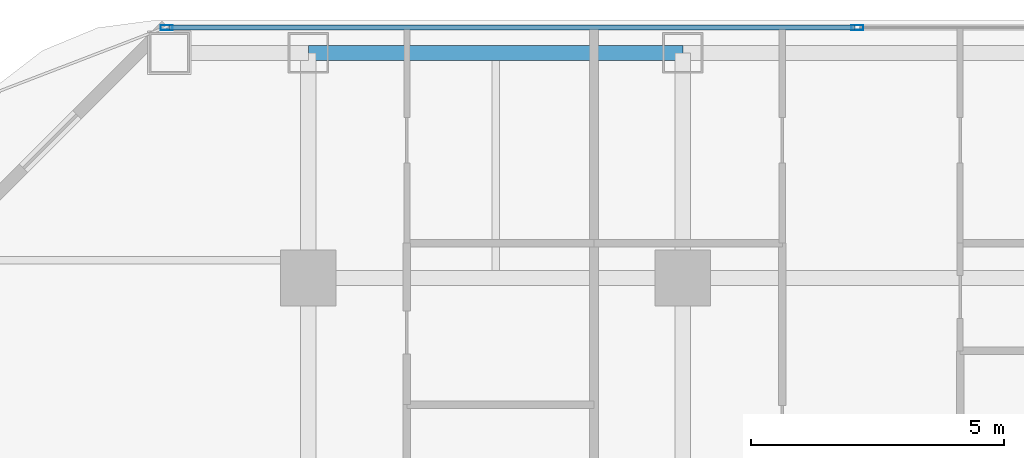
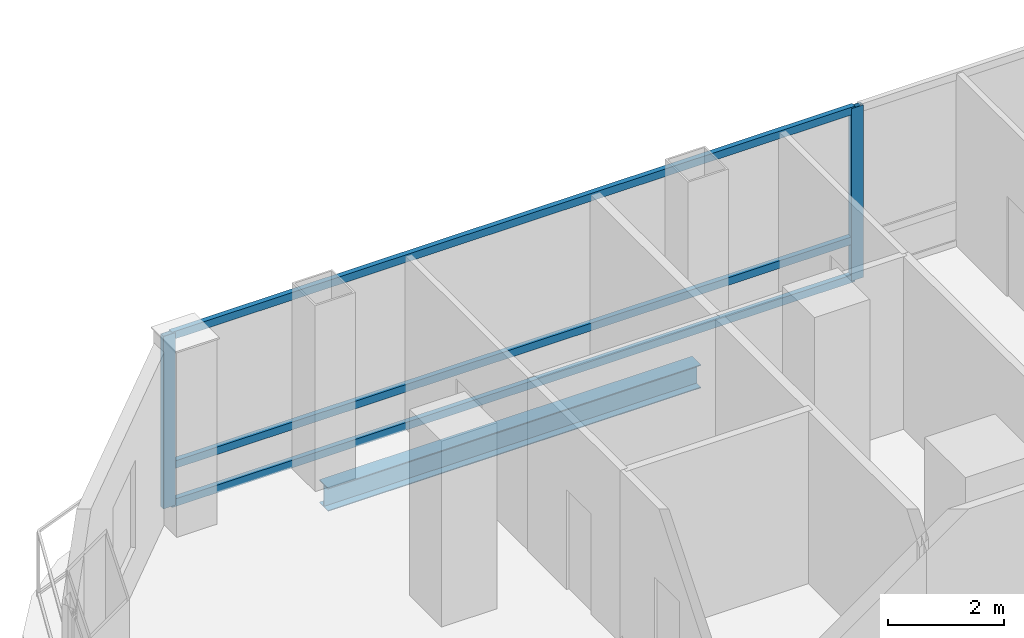
# One storey, part 16 of 27: 5 members, 1 beam, 1 element without a shape of its own.
"""IFC4 building model written with IfcOpenShell, lengths in metres."""

from ifc_helpers import new_model, si_unit, direction, frame, origin, origin_2d, place, context, subcontext, project, spatial, hollow_rectangle, i_section, extrude, material, layer, layer_set, material_profile, profile_set, type_object, element, aggregate, save


model = new_model("IFC4")

# Units and contexts
model_context = context("Model", 3, precision=1e-05, world=origin(), true_north=direction((0.0, 1.0)))
body_context = subcontext(model_context, "Body", "Model", "MODEL_VIEW")
ifc_project = project(units=[si_unit("LENGTHUNIT", "METRE"), si_unit("AREAUNIT", "SQUARE_METRE"), si_unit("VOLUMEUNIT", "CUBIC_METRE"), si_unit("PLANEANGLEUNIT", "RADIAN"), si_unit("MASSUNIT", "GRAM", prefix="KILO")], contexts=[model_context])

# Site, building, storey
site_placement = place(None, origin())
site = spatial("IfcSite", under=ifc_project, at=site_placement, CompositionType="ELEMENT")
building_placement = place(site_placement, origin())
building = spatial("IfcBuilding", under=site, at=building_placement, Name="Khorvyn Point Tower", CompositionType="ELEMENT")
storey_placement = place(building_placement, frame((0.0, 0.0, 50.10009765625)))
storey = spatial("IfcBuildingStorey", under=building, at=storey_placement, Name="L13", CompositionType="ELEMENT", Elevation=50.10009765625)

# Curtain wall, members
ifc_material_1 = material(Name="Anodised aluminium 6063-T6 and laminated Low-E glass", Category="aluminium")
ifc_layer = layer(ifc_material_1, 0.18994140625)
ifc_layer_set = layer_set([ifc_layer], Name="Stick-Built Finned Residential Curtain Wall CW-SYS-02")
curtain_wall_type = type_object("IfcCurtainWallType", Name="Stick-Built Finned Residential Curtain Wall CW-SYS-02", PredefinedType="NOTDEFINED", material=ifc_layer_set)
curtain_wall_placement = place(storey_placement, origin())
curtain_wall = element("IfcCurtainWall", 1, at=curtain_wall_placement, inside=storey, type_object=curtain_wall_type, Name="Curtain Wall", PredefinedType="NOTDEFINED")
ifc_material_2 = material(Name="Anodised aluminium 6063-T6", Category="aluminium")
ifc_material_profile_1 = material_profile(ifc_material_2, hollow_rectangle(XDim=0.10009765625, YDim=0.239990234375, WallThickness=0.0048828125, at=origin_2d()))
ifc_profile_set_1 = profile_set([ifc_material_profile_1], Name="Anodised aluminium 6063-T6 ALU-MUL-100x240")
member_type_1 = type_object("IfcMemberType", Name="Anodised Aluminium 6063-T6 Mullion ALU-MUL-100x240", PredefinedType="MULLION", material=ifc_profile_set_1)
member_1_placement = place(storey_placement, frame((-17.60009765625, 25.050048828125, 0.0), z_axis=(0.0, 0.0, 1.0), x_axis=(0.0, 1.0, 0.0)))
member_1 = element("IfcMember", 2, at=member_1_placement, type_object=member_type_1, Name="Transom", PredefinedType="MULLION", context=body_context, shape_type="SweptSolid", body=[
    extrude(hollow_rectangle(XDim=0.10009765625, YDim=0.239990234375, WallThickness=0.0048828125, at=origin_2d()), origin(), (0.0, 0.0, 1.0), 3.619873046875),
])
member_2_placement = place(storey_placement, frame((-3.949951171875, 25.050048828125, 0.0), z_axis=(0.0, 0.0, 1.0), x_axis=(0.0, 1.0, 0.0)))
member_2 = element("IfcMember", 3, at=member_2_placement, type_object=member_type_1, Name="Transom", PredefinedType="MULLION", context=body_context, shape_type="SweptSolid", body=[
    extrude(hollow_rectangle(XDim=0.10009765625, YDim=0.239990234375, WallThickness=0.0048828125, at=origin_2d()), origin(), (0.0, 0.0, 1.0), 3.619873046875),
])
ifc_material_profile_2 = material_profile(ifc_material_2, hollow_rectangle(XDim=0.10009765625, YDim=0.159912109375, WallThickness=0.00439453125, at=origin_2d()))
ifc_profile_set_2 = profile_set([ifc_material_profile_2], Name="Anodised aluminium 6063-T6 ALU-TRN-100x160")
member_type_2 = type_object("IfcMemberType", Name="Anodised Aluminium 6063-T6 Transom ALU-TRN-100x160", PredefinedType="USERDEFINED", material=ifc_profile_set_2)
member_3_placement = place(storey_placement, frame((-17.550048828125, 25.050048828125, 0.0498046875), z_axis=(1.0, 0.0, 0.0), x_axis=(0.0, 1.0, 0.0)))
member_3 = element("IfcMember", 4, at=member_3_placement, type_object=member_type_2, Name="Transom", ObjectType="TRANSOM", PredefinedType="USERDEFINED", context=body_context, shape_type="SweptSolid", body=[
    extrude(hollow_rectangle(XDim=0.10009765625, YDim=0.159912109375, WallThickness=0.00439453125, at=origin_2d()), origin(), (0.0, 0.0, 1.0), 13.550048828125),
])
member_4_placement = place(storey_placement, frame((-17.550048828125, 25.050048828125, 0.849853515625), z_axis=(1.0, 0.0, 0.0), x_axis=(0.0, 1.0, 0.0)))
member_4 = element("IfcMember", 5, at=member_4_placement, type_object=member_type_2, Name="Transom", ObjectType="TRANSOM", PredefinedType="USERDEFINED", context=body_context, shape_type="SweptSolid", body=[
    extrude(hollow_rectangle(XDim=0.10009765625, YDim=0.159912109375, WallThickness=0.00439453125, at=origin_2d()), origin(), (0.0, 0.0, 1.0), 13.550048828125),
])
member_5_placement = place(storey_placement, frame((-17.550048828125, 25.050048828125, 3.56982421875), z_axis=(1.0, 0.0, 0.0), x_axis=(0.0, 1.0, 0.0)))
member_5 = element("IfcMember", 6, at=member_5_placement, type_object=member_type_2, Name="Transom", ObjectType="TRANSOM", PredefinedType="USERDEFINED", context=body_context, shape_type="SweptSolid", body=[
    extrude(hollow_rectangle(XDim=0.10009765625, YDim=0.159912109375, WallThickness=0.00439453125, at=origin_2d()), origin(), (0.0, 0.0, 1.0), 13.550048828125),
])
aggregate(curtain_wall, [member_1, member_2, member_3, member_4, member_5])

# Beam
ifc_material_3 = material(Name="Steel S355", Category="steel")
ifc_material_profile_3 = material_profile(ifc_material_3, i_section(OverallWidth=0.300048828125, OverallDepth=0.488037109375, WebThickness=0.010986328125, FlangeThickness=0.01806640625, at=origin_2d()))
ifc_profile_set_3 = profile_set([ifc_material_profile_3], Name="Steel S355 H488x300x11x18")
beam_type = type_object("IfcBeamType", Name="Steel S355 Spandrel H488x300x11x18", PredefinedType="SPANDREL", material=ifc_profile_set_3)
beam_placement = place(storey_placement, frame((-14.800048828125, 24.550048828125, -0.464111328125), z_axis=(1.0, 0.0, 0.0), x_axis=(0.0, 1.0, 0.0)))
element("IfcBeam", 7, at=beam_placement, inside=storey, type_object=beam_type, Name="Beam", PredefinedType="SPANDREL", context=body_context, shape_type="SweptSolid", body=[
    extrude(i_section(OverallWidth=0.300048828125, OverallDepth=0.488037109375, WebThickness=0.010986328125, FlangeThickness=0.01806640625, at=origin_2d()), origin(), (0.0, 0.0, 1.0), 7.400146484375),
])

save(model, "model.ifc")
